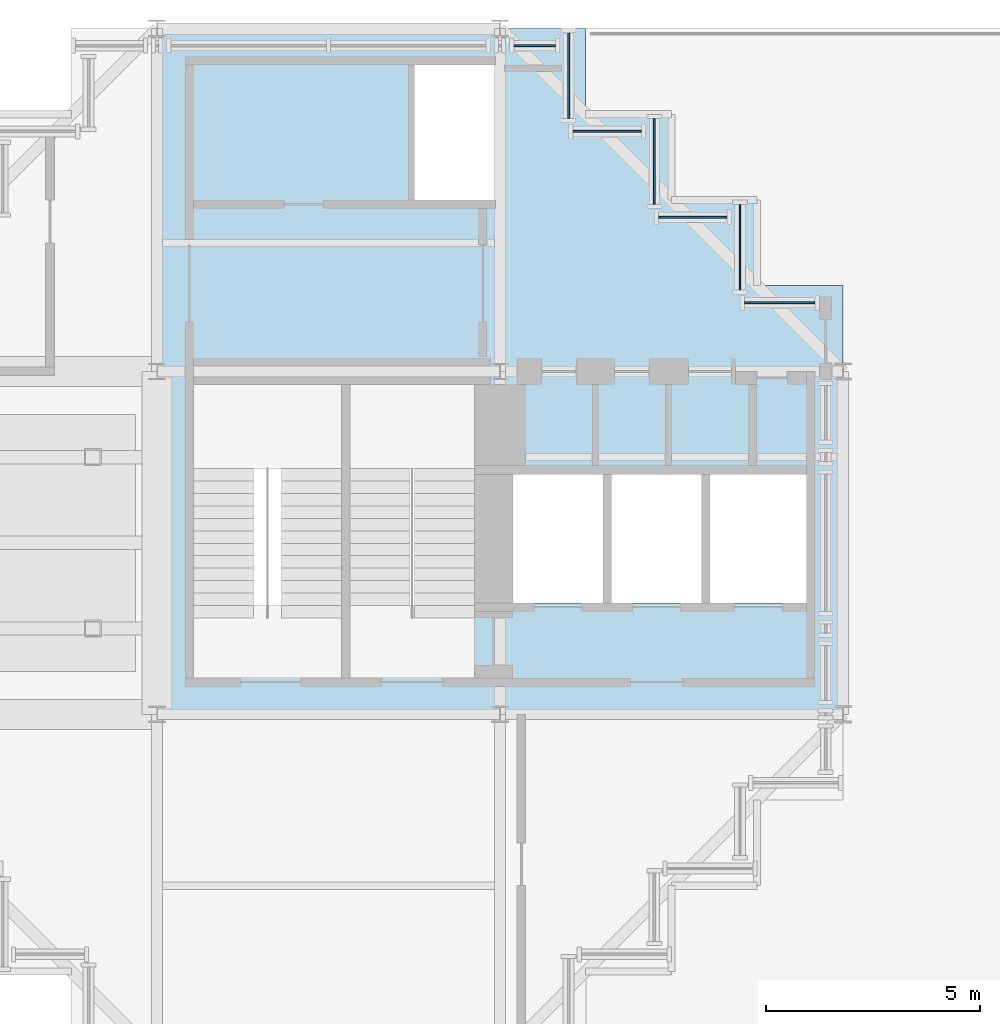
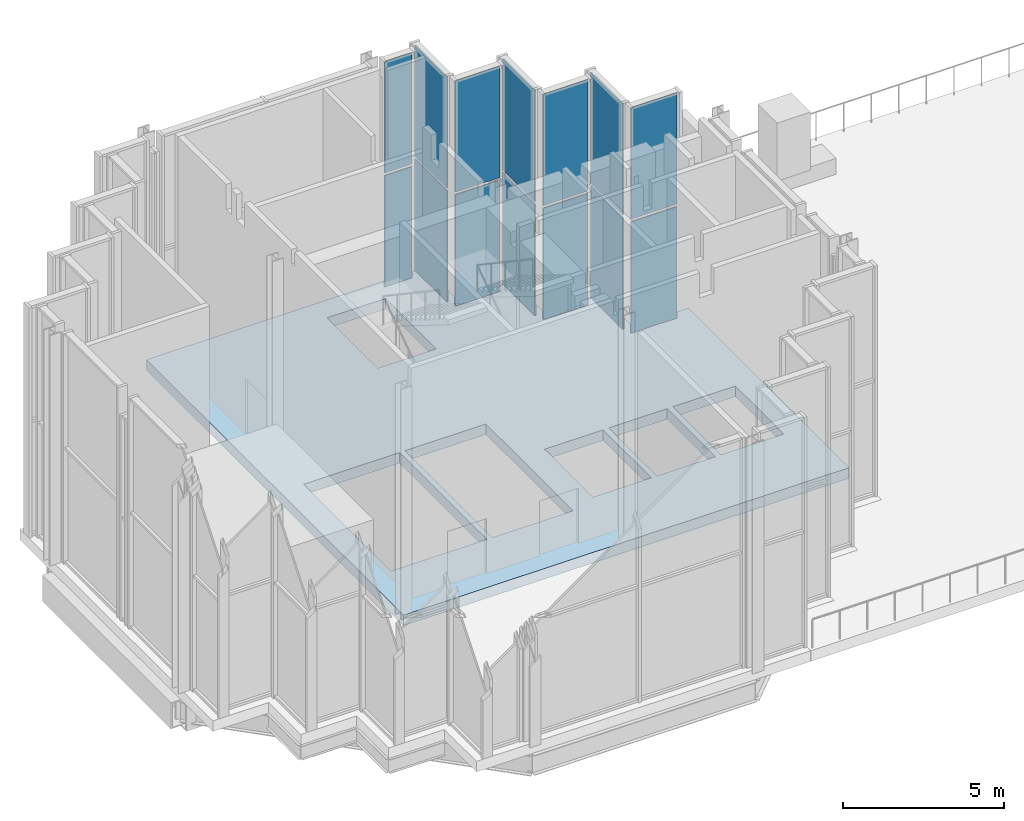
# One storey, part 10 of 15: 14 plates, 1 slab, 7 elements without a shape of their own.
"""IFC4 building model written with IfcOpenShell, lengths in metres."""

from ifc_helpers import new_model, si_unit, direction, frame, origin, origin_2d, place, context, subcontext, project, spatial, polyline, rectangle, outline, extrude, material, layer, layer_set, type_object, element, aggregate, save


model = new_model("IFC4")

# Units and contexts
model_context = context("Model", 3, precision=1e-05, world=origin(), true_north=direction((0.0, 1.0)))
body_context = subcontext(model_context, "Body", "Model", "MODEL_VIEW")
ifc_project = project(units=[si_unit("LENGTHUNIT", "METRE"), si_unit("AREAUNIT", "SQUARE_METRE"), si_unit("VOLUMEUNIT", "CUBIC_METRE"), si_unit("PLANEANGLEUNIT", "RADIAN"), si_unit("MASSUNIT", "GRAM", prefix="KILO")], contexts=[model_context])

# Site, building, storey
site_placement = place(None, origin())
site = spatial("IfcSite", under=ifc_project, at=site_placement, CompositionType="ELEMENT")
building_placement = place(site_placement, origin())
building = spatial("IfcBuilding", under=site, at=building_placement, Name="Immortelle Media Tower", CompositionType="ELEMENT")
storey_placement = place(building_placement, frame((0.0, 0.0, 299.0)))
storey = spatial("IfcBuildingStorey", under=building, at=storey_placement, Name="L66", CompositionType="ELEMENT", Elevation=299.0)

# Slab
ifc_material_1 = material(Name="Concrete C50/60", Category="concrete")
ifc_layer_1 = layer(ifc_material_1, 0.39990234375)
ifc_layer_set_1 = layer_set([ifc_layer_1], Name="Concrete C50/60")
slab_type = type_object("IfcSlabType", Name="Core floor slab 400", PredefinedType="FLOOR", material=ifc_layer_set_1)
slab_placement = place(storey_placement, frame((0.0, 0.0, -0.39990234375)))
element("IfcSlab", 1, at=slab_placement, inside=storey, type_object=slab_type, Name="Core floor SW", PredefinedType="FLOOR", context=body_context, shape_type="SweptSolid", body=[
    extrude(outline(polyline([(24.0, 8.0), (8.0, 8.0), (8.0, 24.0), (18.0, 24.0), (18.0, 22.0), (20.0, 22.0), (20.0, 20.0), (22.0, 20.0), (22.0, 18.0), (24.0, 18.0), (24.0, 8.0)]), holes=[polyline([(14.0, 23.14990234375), (16.10009765625, 23.14990234375), (16.10009765625, 20.0), (14.0, 20.0), (14.0, 23.14990234375)]), polyline([(16.300048828125, 13.60009765625), (18.39990234375, 13.60009765625), (18.39990234375, 10.60009765625), (16.300048828125, 10.60009765625), (16.300048828125, 13.60009765625)]), polyline([(18.60009765625, 13.60009765625), (20.699951171875, 13.60009765625), (20.699951171875, 10.60009765625), (18.60009765625, 10.60009765625), (18.60009765625, 13.60009765625)]), polyline([(20.89990234375, 13.60009765625), (23.14990234375, 13.60009765625), (23.14990234375, 10.60009765625), (20.89990234375, 10.60009765625), (20.89990234375, 13.60009765625)]), polyline([(8.85009765625, 15.699951171875), (12.300048828125, 15.699951171875), (12.300048828125, 10.27001953125), (8.85009765625, 10.27001953125), (8.85009765625, 15.699951171875)]), polyline([(12.5, 15.699951171875), (15.39990234375, 15.699951171875), (15.39990234375, 10.27001953125), (12.5, 10.27001953125), (12.5, 15.699951171875)])]), origin(), (0.0, 0.0, 1.0), 0.39990234375),
])

# Curtain wall, plates
ifc_material_2 = material(Name="Aluminium curtain wall system", Category="aluminium")
curtain_wall_type = type_object("IfcCurtainWallType", Name="Damper hall glazing curtain wall", PredefinedType="NOTDEFINED", material=ifc_material_2)
curtain_wall_1_placement = place(storey_placement, origin())
curtain_wall_1 = element("IfcCurtainWall", 2, at=curtain_wall_1_placement, inside=storey, type_object=curtain_wall_type, Name="Damper hall glazing L66 N 8", PredefinedType="NOTDEFINED")
ifc_material_3 = material(Name="Warm-lit low-E double glazing", Category="glass")
ifc_layer_2 = layer(ifc_material_3, 0.0439453125)
ifc_layer_set_2 = layer_set([ifc_layer_2], Name="Warm-lit low-E double glazing")
plate_type = type_object("IfcPlateType", Name="Laminated solar control glazed panel 44 mm", PredefinedType="CURTAIN_PANEL", material=ifc_layer_set_2)
plate_1_placement = place(storey_placement, frame((22.52490234375, 17.60009765625, 0.10009765625), z_axis=(0.0, 0.0, 1.0), x_axis=(-1.0, 0.0, 0.0)))
plate_1 = element("IfcPlate", 3, at=plate_1_placement, type_object=plate_type, Name="CW5 panel 1.1", PredefinedType="CURTAIN_PANEL", context=body_context, shape_type="SweptSolid", body=[
    extrude(rectangle(XDim=1.64990234375, YDim=0.0439453125, at=origin_2d()), origin(), (0.0, 0.0, 1.0), 4.224853515625),
])
plate_2_placement = place(storey_placement, frame((22.52490234375, 17.60009765625, 4.4248046875), z_axis=(0.0, 0.0, 1.0), x_axis=(-1.0, 0.0, 0.0)))
plate_2 = element("IfcPlate", 4, at=plate_2_placement, type_object=plate_type, Name="CW5 panel 1.2", PredefinedType="CURTAIN_PANEL", context=body_context, shape_type="SweptSolid", body=[
    extrude(rectangle(XDim=1.64990234375, YDim=0.0439453125, at=origin_2d()), origin(), (0.0, 0.0, 1.0), 4.224853515625),
])
aggregate(curtain_wall_1, [plate_1, plate_2])

curtain_wall_2_placement = place(storey_placement, origin())
curtain_wall_2 = element("IfcCurtainWall", 5, at=curtain_wall_2_placement, inside=storey, type_object=curtain_wall_type, Name="Damper hall glazing L66 E 9", PredefinedType="NOTDEFINED")
plate_3_placement = place(storey_placement, frame((21.60009765625, 18.89990234375, 0.10009765625), z_axis=(0.0, 0.0, 1.0), x_axis=(0.0, 1.0, 0.0)))
plate_3 = element("IfcPlate", 6, at=plate_3_placement, type_object=plate_type, Name="CW5 panel 1.1", PredefinedType="CURTAIN_PANEL", context=body_context, shape_type="SweptSolid", body=[
    extrude(rectangle(XDim=2.0, YDim=0.0439453125, at=origin_2d()), origin(), (0.0, 0.0, 1.0), 4.224853515625),
])
plate_4_placement = place(storey_placement, frame((21.60009765625, 18.89990234375, 4.4248046875), z_axis=(0.0, 0.0, 1.0), x_axis=(0.0, 1.0, 0.0)))
plate_4 = element("IfcPlate", 7, at=plate_4_placement, type_object=plate_type, Name="CW5 panel 1.2", PredefinedType="CURTAIN_PANEL", context=body_context, shape_type="SweptSolid", body=[
    extrude(rectangle(XDim=2.0, YDim=0.0439453125, at=origin_2d()), origin(), (0.0, 0.0, 1.0), 4.224853515625),
])
aggregate(curtain_wall_2, [plate_3, plate_4])

curtain_wall_3_placement = place(storey_placement, origin())
curtain_wall_3 = element("IfcCurtainWall", 8, at=curtain_wall_3_placement, inside=storey, type_object=curtain_wall_type, Name="Damper hall glazing L66 N 10", PredefinedType="NOTDEFINED")
plate_5_placement = place(storey_placement, frame((20.5, 19.60009765625, 0.10009765625), z_axis=(0.0, 0.0, 1.0), x_axis=(-1.0, 0.0, 0.0)))
plate_5 = element("IfcPlate", 9, at=plate_5_placement, type_object=plate_type, Name="CW5 panel 1.1", PredefinedType="CURTAIN_PANEL", context=body_context, shape_type="SweptSolid", body=[
    extrude(rectangle(XDim=1.60009765625, YDim=0.0439453125, at=origin_2d()), origin(), (0.0, 0.0, 1.0), 4.224853515625),
])
plate_6_placement = place(storey_placement, frame((20.5, 19.60009765625, 4.4248046875), z_axis=(0.0, 0.0, 1.0), x_axis=(-1.0, 0.0, 0.0)))
plate_6 = element("IfcPlate", 10, at=plate_6_placement, type_object=plate_type, Name="CW5 panel 1.2", PredefinedType="CURTAIN_PANEL", context=body_context, shape_type="SweptSolid", body=[
    extrude(rectangle(XDim=1.60009765625, YDim=0.0439453125, at=origin_2d()), origin(), (0.0, 0.0, 1.0), 4.224853515625),
])
aggregate(curtain_wall_3, [plate_5, plate_6])

curtain_wall_4_placement = place(storey_placement, origin())
curtain_wall_4 = element("IfcCurtainWall", 11, at=curtain_wall_4_placement, inside=storey, type_object=curtain_wall_type, Name="Damper hall glazing L66 E 11", PredefinedType="NOTDEFINED")
plate_7_placement = place(storey_placement, frame((19.60009765625, 20.89990234375, 0.10009765625), z_axis=(0.0, 0.0, 1.0), x_axis=(0.0, 1.0, 0.0)))
plate_7 = element("IfcPlate", 12, at=plate_7_placement, type_object=plate_type, Name="CW5 panel 1.1", PredefinedType="CURTAIN_PANEL", context=body_context, shape_type="SweptSolid", body=[
    extrude(rectangle(XDim=2.0, YDim=0.0439453125, at=origin_2d()), origin(), (0.0, 0.0, 1.0), 4.224853515625),
])
plate_8_placement = place(storey_placement, frame((19.60009765625, 20.89990234375, 4.4248046875), z_axis=(0.0, 0.0, 1.0), x_axis=(0.0, 1.0, 0.0)))
plate_8 = element("IfcPlate", 13, at=plate_8_placement, type_object=plate_type, Name="CW5 panel 1.2", PredefinedType="CURTAIN_PANEL", context=body_context, shape_type="SweptSolid", body=[
    extrude(rectangle(XDim=2.0, YDim=0.0439453125, at=origin_2d()), origin(), (0.0, 0.0, 1.0), 4.224853515625),
])
aggregate(curtain_wall_4, [plate_7, plate_8])

curtain_wall_5_placement = place(storey_placement, origin())
curtain_wall_5 = element("IfcCurtainWall", 14, at=curtain_wall_5_placement, inside=storey, type_object=curtain_wall_type, Name="Damper hall glazing L66 N 12", PredefinedType="NOTDEFINED")
plate_9_placement = place(storey_placement, frame((18.5, 21.60009765625, 0.10009765625), z_axis=(0.0, 0.0, 1.0), x_axis=(-1.0, 0.0, 0.0)))
plate_9 = element("IfcPlate", 15, at=plate_9_placement, type_object=plate_type, Name="CW5 panel 1.1", PredefinedType="CURTAIN_PANEL", context=body_context, shape_type="SweptSolid", body=[
    extrude(rectangle(XDim=1.60009765625, YDim=0.0439453125, at=origin_2d()), origin(), (0.0, 0.0, 1.0), 4.224853515625),
])
plate_10_placement = place(storey_placement, frame((18.5, 21.60009765625, 4.4248046875), z_axis=(0.0, 0.0, 1.0), x_axis=(-1.0, 0.0, 0.0)))
plate_10 = element("IfcPlate", 16, at=plate_10_placement, type_object=plate_type, Name="CW5 panel 1.2", PredefinedType="CURTAIN_PANEL", context=body_context, shape_type="SweptSolid", body=[
    extrude(rectangle(XDim=1.60009765625, YDim=0.0439453125, at=origin_2d()), origin(), (0.0, 0.0, 1.0), 4.224853515625),
])
aggregate(curtain_wall_5, [plate_9, plate_10])

curtain_wall_6_placement = place(storey_placement, origin())
curtain_wall_6 = element("IfcCurtainWall", 17, at=curtain_wall_6_placement, inside=storey, type_object=curtain_wall_type, Name="Damper hall glazing L66 E 13", PredefinedType="NOTDEFINED")
plate_11_placement = place(storey_placement, frame((17.60009765625, 22.89990234375, 0.10009765625), z_axis=(0.0, 0.0, 1.0), x_axis=(0.0, 1.0, 0.0)))
plate_11 = element("IfcPlate", 18, at=plate_11_placement, type_object=plate_type, Name="CW5 panel 1.1", PredefinedType="CURTAIN_PANEL", context=body_context, shape_type="SweptSolid", body=[
    extrude(rectangle(XDim=2.0, YDim=0.0439453125, at=origin_2d()), origin(), (0.0, 0.0, 1.0), 4.224853515625),
])
plate_12_placement = place(storey_placement, frame((17.60009765625, 22.89990234375, 4.4248046875), z_axis=(0.0, 0.0, 1.0), x_axis=(0.0, 1.0, 0.0)))
plate_12 = element("IfcPlate", 19, at=plate_12_placement, type_object=plate_type, Name="CW5 panel 1.2", PredefinedType="CURTAIN_PANEL", context=body_context, shape_type="SweptSolid", body=[
    extrude(rectangle(XDim=2.0, YDim=0.0439453125, at=origin_2d()), origin(), (0.0, 0.0, 1.0), 4.224853515625),
])
aggregate(curtain_wall_6, [plate_11, plate_12])

curtain_wall_7_placement = place(storey_placement, origin())
curtain_wall_7 = element("IfcCurtainWall", 20, at=curtain_wall_7_placement, inside=storey, type_object=curtain_wall_type, Name="Damper hall glazing L66 N 14-1", PredefinedType="NOTDEFINED")
plate_13_placement = place(storey_placement, frame((16.811767578125, 23.60009765625, 0.10009765625), z_axis=(0.0, 0.0, 1.0), x_axis=(-1.0, 0.0, 0.0)))
plate_13 = element("IfcPlate", 21, at=plate_13_placement, type_object=plate_type, Name="CW5 panel 1.1", PredefinedType="CURTAIN_PANEL", context=body_context, shape_type="SweptSolid", body=[
    extrude(rectangle(XDim=0.9765625, YDim=0.0439453125, at=origin_2d()), origin(), (0.0, 0.0, 1.0), 4.224853515625),
])
plate_14_placement = place(storey_placement, frame((16.811767578125, 23.60009765625, 4.4248046875), z_axis=(0.0, 0.0, 1.0), x_axis=(-1.0, 0.0, 0.0)))
plate_14 = element("IfcPlate", 22, at=plate_14_placement, type_object=plate_type, Name="CW5 panel 1.2", PredefinedType="CURTAIN_PANEL", context=body_context, shape_type="SweptSolid", body=[
    extrude(rectangle(XDim=0.9765625, YDim=0.0439453125, at=origin_2d()), origin(), (0.0, 0.0, 1.0), 4.224853515625),
])
aggregate(curtain_wall_7, [plate_13, plate_14])

save(model, "model.ifc")
